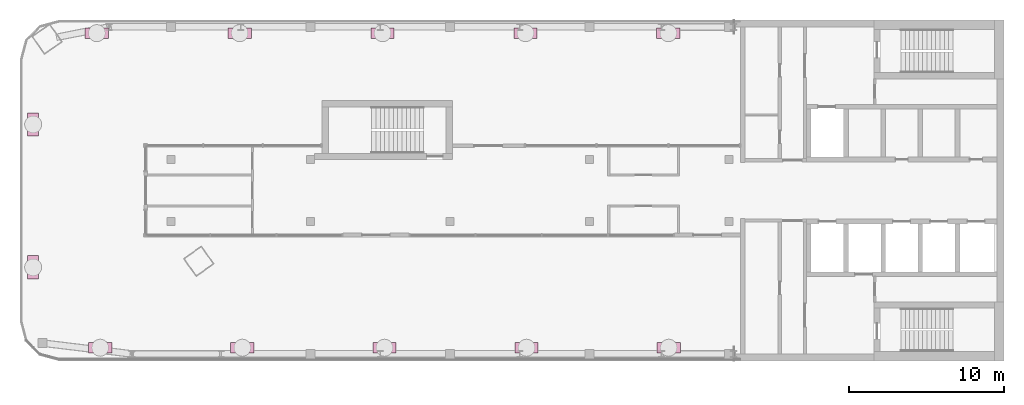
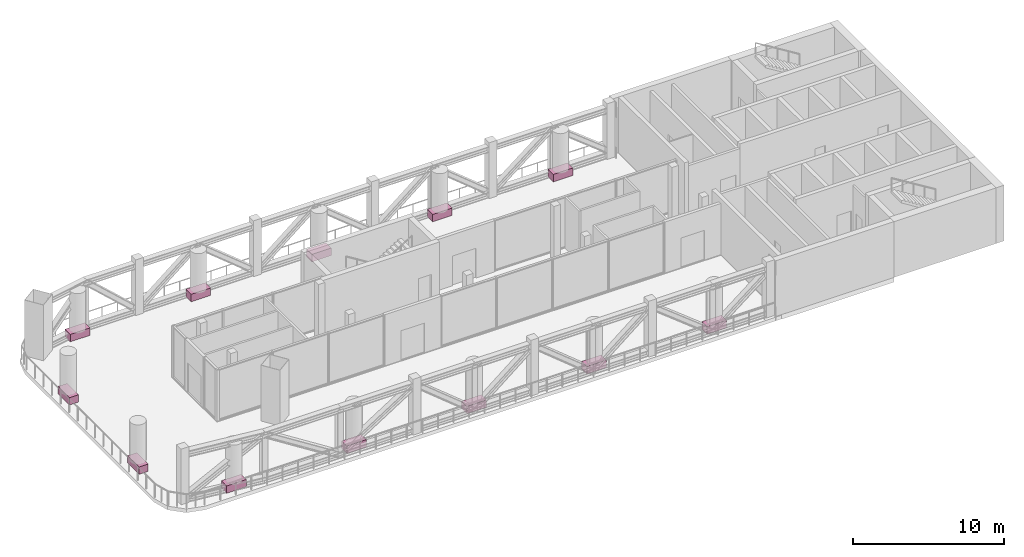
# One storey, part 8 of 9: 12 furniture elements.
"""IFC4 building model written with IfcOpenShell, lengths in metres."""

from ifc_helpers import new_model, si_unit, direction, frame, origin, origin_2d, place, context, subcontext, project, spatial, rectangle, extrude, element, save


model = new_model("IFC4")

# Units and contexts
model_context = context("Model", 3, precision=1e-05, world=origin(), true_north=direction((0.0, 1.0)))
body_context = subcontext(model_context, "Body", "Model", "MODEL_VIEW")
ifc_project = project(units=[si_unit("LENGTHUNIT", "METRE"), si_unit("AREAUNIT", "SQUARE_METRE"), si_unit("VOLUMEUNIT", "CUBIC_METRE"), si_unit("PLANEANGLEUNIT", "RADIAN"), si_unit("MASSUNIT", "GRAM", prefix="KILO")], contexts=[model_context])

# Site, building, storey
site_placement = place(None, origin())
site = spatial("IfcSite", under=ifc_project, at=site_placement, CompositionType="ELEMENT")
building_placement = place(site_placement, origin())
building = spatial("IfcBuilding", under=site, at=building_placement, Name="Skarvind Civic Tower", CompositionType="ELEMENT")
storey_placement = place(building_placement, frame((0.0, 0.0, 277.5)))
storey = spatial("IfcBuildingStorey", under=building, at=storey_placement, Name="L66", CompositionType="ELEMENT", Elevation=277.5)

# Furniture
for number, where, z_axis, x_axis, name in (
    (1, (45.35009765625, 123.0400390625, 0.0), (0.0, 0.0, 1.0), (0.0, 1.0, 0.0), "OBSERVATION TERRACE PLANTER"),
    (2, (45.35009765625, 132.260498046875, 0.0), (0.0, 0.0, 1.0), (0.0, 1.0, 0.0), "OBSERVATION TERRACE PLANTER"),
    (3, (49.45751953125, 138.14990234375, 0.0), (0.0, 0.0, 1.0), (1.0, 0.0, 0.0), "OBSERVATION TERRACE PLANTER"),
    (4, (58.677978515625, 138.14990234375, 0.0), (0.0, 0.0, 1.0), (1.0, 0.0, 0.0), "OBSERVATION TERRACE PLANTER"),
    (5, (67.898681640625, 138.14990234375, 0.0), (0.0, 0.0, 1.0), (1.0, 0.0, 0.0), "OBSERVATION TERRACE PLANTER"),
    (6, (77.119140625, 138.14990234375, 0.0), (0.0, 0.0, 1.0), (1.0, 0.0, 0.0), "OBSERVATION TERRACE PLANTER"),
    (7, (86.339599609375, 138.14990234375, 0.0), (0.0, 0.0, 1.0), (1.0, 0.0, 0.0), "OBSERVATION TERRACE PLANTER"),
    (8, (86.364013671875, 117.85009765625, 0.0), (0.0, 0.0, 1.0), (-1.0, 0.0, 0.0), "OBSERVATION TERRACE PLANTER"),
    (9, (77.1923828125, 117.85009765625, 0.0), (0.0, 0.0, 1.0), (-1.0, 0.0, 0.0), "OBSERVATION TERRACE PLANTER"),
    (10, (68.0205078125, 117.85009765625, 0.0), (0.0, 0.0, 1.0), (-1.0, 0.0, 0.0), "OBSERVATION TERRACE PLANTER"),
    (11, (58.848876953125, 117.85009765625, 0.0), (0.0, 0.0, 1.0), (-1.0, 0.0, 0.0), "OBSERVATION TERRACE PLANTER"),
    (12, (49.677001953125, 117.85009765625, 0.0), (0.0, 0.0, 1.0), (-1.0, 0.0, 0.0), "OBSERVATION TERRACE PLANTER"),
):
    element("IfcFurniture", number, at=place(storey_placement, frame(where, z_axis=z_axis, x_axis=x_axis)), inside=storey, Name=name, ObjectType="PLANTER", PredefinedType="USERDEFINED", context=body_context, shape_type="SweptSolid", body=[
        extrude(rectangle(XDim=1.5, YDim=0.699951171875, at=origin_2d()), origin(), (0.0, 0.0, 1.0), 0.60009765625),
    ])

save(model, "model.ifc")
